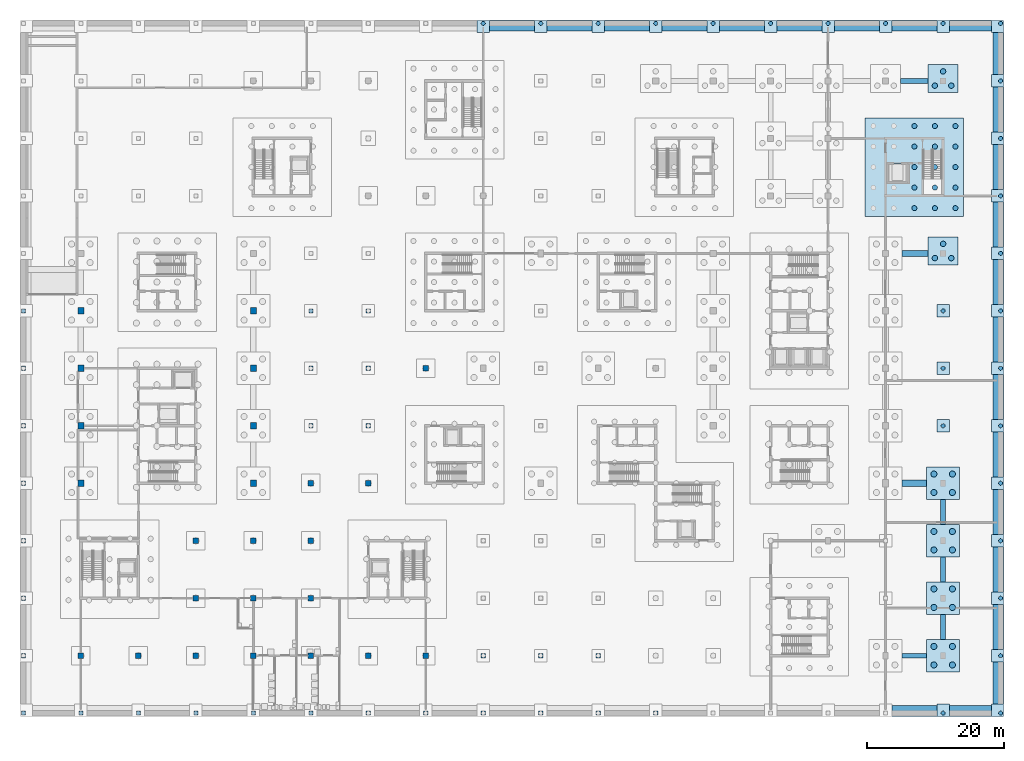
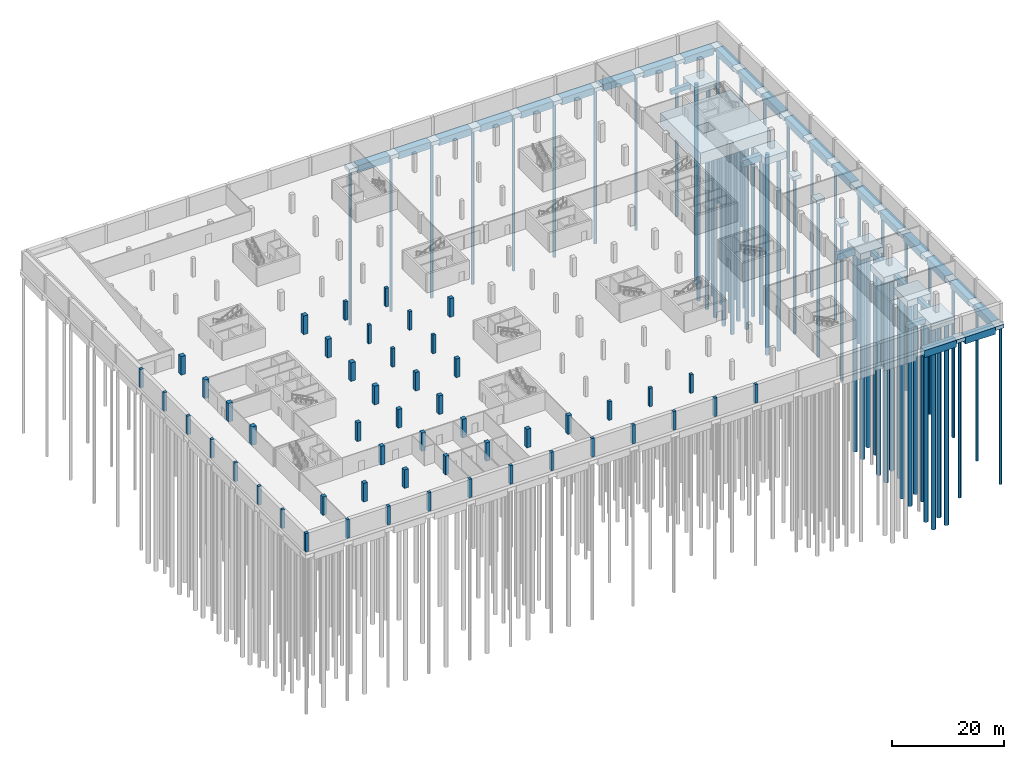
# One storey, part 5 of 23: 63 footings, 63 piles, 52 columns.
"""IFC4 building model written with IfcOpenShell, lengths in metres."""

from ifc_helpers import new_model, si_unit, direction, frame, origin, origin_2d, place, context, subcontext, project, spatial, polyline, rectangle, circle, outline, extrude, material, layer, layer_set, material_profile, profile_set, type_object, element, save


model = new_model("IFC4")

# Units and contexts
model_context = context("Model", 3, precision=1e-05, world=origin(), true_north=direction((0.0, 1.0)))
body_context = subcontext(model_context, "Body", "Model", "MODEL_VIEW")
ifc_project = project(units=[si_unit("LENGTHUNIT", "METRE"), si_unit("AREAUNIT", "SQUARE_METRE"), si_unit("VOLUMEUNIT", "CUBIC_METRE"), si_unit("PLANEANGLEUNIT", "RADIAN"), si_unit("MASSUNIT", "GRAM", prefix="KILO")], contexts=[model_context])

# Site, building, storey
site_placement = place(None, origin())
site = spatial("IfcSite", under=ifc_project, at=site_placement, CompositionType="ELEMENT")
building_placement = place(site_placement, origin())
building = spatial("IfcBuilding", under=site, at=building_placement, Name="Hlaing Beacon Police Headquarters", CompositionType="ELEMENT")
storey_placement = place(building_placement, frame((0.0, 0.0, -4.5)))
storey = spatial("IfcBuildingStorey", under=building, at=storey_placement, Name="B1", CompositionType="ELEMENT", Elevation=-4.5)

# Piles
ifc_material_1 = material(Name="Concrete C40/50", Category="concrete")
ifc_material_profile_1 = material_profile(ifc_material_1, circle(Radius=0.300048828125, at=origin_2d()), Name="D600")
ifc_profile_set_1 = profile_set([ifc_material_profile_1], Name="Concrete C40/50")
pile_type_1 = type_object("IfcPileType", Name="Bored pile D600 L34", PredefinedType="BORED", material=ifc_profile_set_1)
for number, where, z_axis, x_axis, name in (
    (1, (67.199951171875, 100.800048828125, -1.39990234375), (0.0, 0.0, -1.0), (1.0, 0.0, 0.0), "STR-PILE-J13"),
    (2, (75.60009765625, 100.800048828125, -1.39990234375), (0.0, 0.0, -1.0), (1.0, 0.0, 0.0), "STR-PILE-K13"),
    (3, (84.0, 100.800048828125, -1.39990234375), (0.0, 0.0, -1.0), (1.0, 0.0, 0.0), "STR-PILE-L13"),
    (4, (92.39990234375, 100.800048828125, -1.39990234375), (0.0, 0.0, -1.0), (1.0, 0.0, 0.0), "STR-PILE-M13"),
    (5, (100.800048828125, 100.800048828125, -1.39990234375), (0.0, 0.0, -1.0), (1.0, 0.0, 0.0), "STR-PILE-N13"),
    (6, (109.199951171875, 100.800048828125, -1.39990234375), (0.0, 0.0, -1.0), (1.0, 0.0, 0.0), "STR-PILE-P13"),
    (7, (117.60009765625, 100.800048828125, -1.39990234375), (0.0, 0.0, -1.0), (1.0, 0.0, 0.0), "STR-PILE-Q13"),
    (8, (126.0, 100.800048828125, -1.39990234375), (0.0, 0.0, -1.0), (1.0, 0.0, 0.0), "STR-PILE-R13"),
    (9, (134.39990234375, 0.0, -1.39990234375), (0.0, 0.0, -1.0), (1.0, 0.0, 0.0), "STR-PILE-S1"),
    (10, (134.39990234375, 42.0, -1.39990234375), (0.0, 0.0, -1.0), (1.0, 0.0, 0.0), "STR-PILE-S6"),
    (11, (134.39990234375, 50.39990234375, -1.39990234375), (0.0, 0.0, -1.0), (1.0, 0.0, 0.0), "STR-PILE-S7"),
    (12, (134.39990234375, 58.800048828125, -1.39990234375), (0.0, 0.0, -1.0), (1.0, 0.0, 0.0), "STR-PILE-S8"),
    (13, (134.39990234375, 100.800048828125, -1.39990234375), (0.0, 0.0, -1.0), (1.0, 0.0, 0.0), "STR-PILE-S13"),
    (14, (142.800048828125, 0.0, -1.39990234375), (0.0, 0.0, -1.0), (1.0, 0.0, 0.0), "STR-PILE-T1"),
    (15, (142.800048828125, 8.39990234375, -1.39990234375), (0.0, 0.0, -1.0), (1.0, 0.0, 0.0), "STR-PILE-T2"),
    (16, (142.800048828125, 16.800048828125, -1.39990234375), (0.0, 0.0, -1.0), (1.0, 0.0, 0.0), "STR-PILE-T3"),
    (17, (142.800048828125, 25.199951171875, -1.39990234375), (0.0, 0.0, -1.0), (1.0, 0.0, 0.0), "STR-PILE-T4"),
    (18, (142.800048828125, 33.60009765625, -1.39990234375), (0.0, 0.0, -1.0), (1.0, 0.0, 0.0), "STR-PILE-T5"),
    (19, (142.800048828125, 42.0, -1.39990234375), (0.0, 0.0, -1.0), (1.0, 0.0, 0.0), "STR-PILE-T6"),
    (20, (142.800048828125, 50.39990234375, -1.39990234375), (0.0, 0.0, -1.0), (1.0, 0.0, 0.0), "STR-PILE-T7"),
    (21, (142.800048828125, 58.800048828125, -1.39990234375), (0.0, 0.0, -1.0), (1.0, 0.0, 0.0), "STR-PILE-T8"),
    (22, (142.800048828125, 67.199951171875, -1.39990234375), (0.0, 0.0, -1.0), (1.0, 0.0, 0.0), "STR-PILE-T9"),
    (23, (142.800048828125, 75.60009765625, -1.39990234375), (0.0, 0.0, -1.0), (1.0, 0.0, 0.0), "STR-PILE-T10"),
    (24, (142.800048828125, 84.0, -1.39990234375), (0.0, 0.0, -1.0), (1.0, 0.0, 0.0), "STR-PILE-T11"),
    (25, (142.800048828125, 92.39990234375, -1.39990234375), (0.0, 0.0, -1.0), (1.0, 0.0, 0.0), "STR-PILE-T12"),
    (26, (142.800048828125, 100.800048828125, -1.39990234375), (0.0, 0.0, -1.0), (1.0, 0.0, 0.0), "STR-PILE-T13"),
):
    element("IfcPile", number, at=place(storey_placement, frame(where, z_axis=z_axis, x_axis=x_axis)), inside=storey, type_object=pile_type_1, Name=name, PredefinedType="BORED", context=body_context, shape_type="SweptSolid", body=[
        extrude(circle(Radius=0.300048828125, at=origin_2d()), origin(), (0.0, 0.0, 1.0), 34.0),
    ])
ifc_material_2 = material(Name="Concrete C40/50", Category="concrete")
ifc_material_profile_2 = material_profile(ifc_material_2, circle(Radius=0.375, at=origin_2d()), Name="D750")
ifc_profile_set_2 = profile_set([ifc_material_profile_2], Name="Concrete C40/50")
pile_type_2 = type_object("IfcPileType", Name="Bored pile D750 L40", PredefinedType="BORED", material=ifc_profile_set_2)
for number, where, z_axis, x_axis, name in (
    (27, (130.199951171875, 73.800048828125, -3.10009765625), (0.0, 0.0, -1.0), (1.0, 0.0, 0.0), "STR-PILE-RFC7b-0301"),
    (28, (130.199951171875, 76.800048828125, -3.10009765625), (0.0, 0.0, -1.0), (1.0, 0.0, 0.0), "STR-PILE-RFC7b-0302"),
    (29, (130.199951171875, 79.800048828125, -3.10009765625), (0.0, 0.0, -1.0), (1.0, 0.0, 0.0), "STR-PILE-RFC7b-0303"),
    (30, (130.199951171875, 82.800048828125, -3.10009765625), (0.0, 0.0, -1.0), (1.0, 0.0, 0.0), "STR-PILE-RFC7b-0304"),
    (31, (130.199951171875, 85.800048828125, -3.10009765625), (0.0, 0.0, -1.0), (1.0, 0.0, 0.0), "STR-PILE-RFC7b-0305"),
    (32, (133.199951171875, 73.800048828125, -3.10009765625), (0.0, 0.0, -1.0), (1.0, 0.0, 0.0), "STR-PILE-RFC7b-0401"),
    (33, (133.199951171875, 76.800048828125, -3.10009765625), (0.0, 0.0, -1.0), (1.0, 0.0, 0.0), "STR-PILE-RFC7b-0402"),
    (34, (133.199951171875, 79.800048828125, -3.10009765625), (0.0, 0.0, -1.0), (1.0, 0.0, 0.0), "STR-PILE-RFC7b-0403"),
    (35, (133.199951171875, 82.800048828125, -3.10009765625), (0.0, 0.0, -1.0), (1.0, 0.0, 0.0), "STR-PILE-RFC7b-0404"),
    (36, (133.199951171875, 85.800048828125, -3.10009765625), (0.0, 0.0, -1.0), (1.0, 0.0, 0.0), "STR-PILE-RFC7b-0405"),
    (37, (136.199951171875, 73.800048828125, -3.10009765625), (0.0, 0.0, -1.0), (1.0, 0.0, 0.0), "STR-PILE-RFC7b-0501"),
    (38, (136.199951171875, 76.800048828125, -3.10009765625), (0.0, 0.0, -1.0), (1.0, 0.0, 0.0), "STR-PILE-RFC7b-0502"),
    (39, (136.199951171875, 79.800048828125, -3.10009765625), (0.0, 0.0, -1.0), (1.0, 0.0, 0.0), "STR-PILE-RFC7b-0503"),
    (40, (136.199951171875, 82.800048828125, -3.10009765625), (0.0, 0.0, -1.0), (1.0, 0.0, 0.0), "STR-PILE-RFC7b-0504"),
    (41, (136.199951171875, 85.800048828125, -3.10009765625), (0.0, 0.0, -1.0), (1.0, 0.0, 0.0), "STR-PILE-RFC7b-0505"),
):
    element("IfcPile", number, at=place(storey_placement, frame(where, z_axis=z_axis, x_axis=x_axis)), inside=storey, type_object=pile_type_2, Name=name, PredefinedType="BORED", context=body_context, shape_type="SweptSolid", body=[
        extrude(circle(Radius=0.375, at=origin_2d()), origin(), (0.0, 0.0, 1.0), 40.0),
    ])
ifc_material_3 = material(Name="Concrete C40/50", Category="concrete")
ifc_material_profile_3 = material_profile(ifc_material_3, circle(Radius=0.39990234375, at=origin_2d()), Name="D800")
ifc_profile_set_3 = profile_set([ifc_material_profile_3], Name="Concrete C40/50")
pile_type_3 = type_object("IfcPileType", Name="Bored pile D800 L42", PredefinedType="BORED", material=ifc_profile_set_3)
for number, where, z_axis, x_axis, name in (
    (42, (133.199951171875, 66.507080078125, -2.199951171875), (0.0, 0.0, -1.0), (1.0, 0.0, 0.0), "STR-PILE-S9-1"),
    (43, (135.60009765625, 66.507080078125, -2.199951171875), (0.0, 0.0, -1.0), (1.0, 0.0, 0.0), "STR-PILE-S9-2"),
    (44, (134.39990234375, 68.5859375, -2.199951171875), (0.0, 0.0, -1.0), (1.0, 0.0, 0.0), "STR-PILE-S9-3"),
    (45, (133.199951171875, 91.70703125, -2.199951171875), (0.0, 0.0, -1.0), (1.0, 0.0, 0.0), "STR-PILE-S12-1"),
    (46, (135.60009765625, 91.70703125, -2.199951171875), (0.0, 0.0, -1.0), (1.0, 0.0, 0.0), "STR-PILE-S12-2"),
    (47, (134.39990234375, 93.785888671875, -2.199951171875), (0.0, 0.0, -1.0), (1.0, 0.0, 0.0), "STR-PILE-S12-3"),
):
    element("IfcPile", number, at=place(storey_placement, frame(where, z_axis=z_axis, x_axis=x_axis)), inside=storey, type_object=pile_type_3, Name=name, PredefinedType="BORED", context=body_context, shape_type="SweptSolid", body=[
        extrude(circle(Radius=0.39990234375, at=origin_2d()), origin(), (0.0, 0.0, 1.0), 42.0),
    ])
ifc_material_4 = material(Name="Concrete C40/50", Category="concrete")
ifc_material_profile_4 = material_profile(ifc_material_4, circle(Radius=0.449951171875, at=origin_2d()), Name="D900")
ifc_profile_set_4 = profile_set([ifc_material_profile_4], Name="Concrete C40/50")
pile_type_4 = type_object("IfcPileType", Name="Bored pile D900 L44", PredefinedType="BORED", material=ifc_profile_set_4)
for number, where, z_axis, x_axis, name in (
    (48, (133.050048828125, 7.050048828125, -2.0), (0.0, 0.0, -1.0), (1.0, 0.0, 0.0), "STR-PILE-S2-1"),
    (49, (135.75, 7.050048828125, -2.0), (0.0, 0.0, -1.0), (1.0, 0.0, 0.0), "STR-PILE-S2-2"),
    (50, (135.75, 9.75, -2.0), (0.0, 0.0, -1.0), (1.0, 0.0, 0.0), "STR-PILE-S2-3"),
    (51, (133.050048828125, 9.75, -2.0), (0.0, 0.0, -1.0), (1.0, 0.0, 0.0), "STR-PILE-S2-4"),
    (52, (133.050048828125, 15.449951171875, -2.0), (0.0, 0.0, -1.0), (1.0, 0.0, 0.0), "STR-PILE-S3-1"),
    (53, (135.75, 15.449951171875, -2.0), (0.0, 0.0, -1.0), (1.0, 0.0, 0.0), "STR-PILE-S3-2"),
    (54, (135.75, 18.14990234375, -2.0), (0.0, 0.0, -1.0), (1.0, 0.0, 0.0), "STR-PILE-S3-3"),
    (55, (133.050048828125, 18.14990234375, -2.0), (0.0, 0.0, -1.0), (1.0, 0.0, 0.0), "STR-PILE-S3-4"),
    (56, (133.050048828125, 23.85009765625, -2.0), (0.0, 0.0, -1.0), (1.0, 0.0, 0.0), "STR-PILE-S4-1"),
    (57, (135.75, 23.85009765625, -2.0), (0.0, 0.0, -1.0), (1.0, 0.0, 0.0), "STR-PILE-S4-2"),
    (58, (135.75, 26.550048828125, -2.0), (0.0, 0.0, -1.0), (1.0, 0.0, 0.0), "STR-PILE-S4-3"),
    (59, (133.050048828125, 26.550048828125, -2.0), (0.0, 0.0, -1.0), (1.0, 0.0, 0.0), "STR-PILE-S4-4"),
    (60, (133.050048828125, 32.25, -2.0), (0.0, 0.0, -1.0), (1.0, 0.0, 0.0), "STR-PILE-S5-1"),
    (61, (135.75, 32.25, -2.0), (0.0, 0.0, -1.0), (1.0, 0.0, 0.0), "STR-PILE-S5-2"),
    (62, (135.75, 34.949951171875, -2.0), (0.0, 0.0, -1.0), (1.0, 0.0, 0.0), "STR-PILE-S5-3"),
    (63, (133.050048828125, 34.949951171875, -2.0), (0.0, 0.0, -1.0), (1.0, 0.0, 0.0), "STR-PILE-S5-4"),
):
    element("IfcPile", number, at=place(storey_placement, frame(where, z_axis=z_axis, x_axis=x_axis)), inside=storey, type_object=pile_type_4, Name=name, PredefinedType="BORED", context=body_context, shape_type="SweptSolid", body=[
        extrude(circle(Radius=0.449951171875, at=origin_2d()), origin(), (0.0, 0.0, 1.0), 44.0),
    ])

# Footings
ifc_material_5 = material(Name="Concrete C40/50", Category="concrete")
ifc_layer_1 = layer(ifc_material_5, 0.800048828125)
ifc_layer_set_1 = layer_set([ifc_layer_1], Name="Concrete C40/50")
footing_type_1 = type_object("IfcFootingType", Name="Pad footing 1800 x 1800 x 800", PredefinedType="PAD_FOOTING", material=ifc_layer_set_1)
for number, where, z_axis, x_axis, name in (
    (64, (67.199951171875, 100.35009765625, -1.39990234375), (0.0, 0.0, 1.0), (1.0, 0.0, 0.0), "STR-PAD-J13"),
    (65, (75.60009765625, 100.35009765625, -1.39990234375), (0.0, 0.0, 1.0), (1.0, 0.0, 0.0), "STR-PAD-K13"),
    (66, (84.0, 100.35009765625, -1.39990234375), (0.0, 0.0, 1.0), (1.0, 0.0, 0.0), "STR-PAD-L13"),
    (67, (92.39990234375, 100.35009765625, -1.39990234375), (0.0, 0.0, 1.0), (1.0, 0.0, 0.0), "STR-PAD-M13"),
    (68, (100.800048828125, 100.35009765625, -1.39990234375), (0.0, 0.0, 1.0), (1.0, 0.0, 0.0), "STR-PAD-N13"),
    (69, (109.199951171875, 100.35009765625, -1.39990234375), (0.0, 0.0, 1.0), (1.0, 0.0, 0.0), "STR-PAD-P13"),
    (70, (117.60009765625, 100.35009765625, -1.39990234375), (0.0, 0.0, 1.0), (1.0, 0.0, 0.0), "STR-PAD-Q13"),
    (71, (126.0, 100.35009765625, -1.39990234375), (0.0, 0.0, 1.0), (1.0, 0.0, 0.0), "STR-PAD-R13"),
    (72, (134.39990234375, 0.449951171875, -1.39990234375), (0.0, 0.0, 1.0), (1.0, 0.0, 0.0), "STR-PAD-S1"),
    (73, (134.39990234375, 42.0, -1.39990234375), (0.0, 0.0, 1.0), (1.0, 0.0, 0.0), "STR-PAD-S6"),
    (74, (134.39990234375, 50.39990234375, -1.39990234375), (0.0, 0.0, 1.0), (1.0, 0.0, 0.0), "STR-PAD-S7"),
    (75, (134.39990234375, 58.800048828125, -1.39990234375), (0.0, 0.0, 1.0), (1.0, 0.0, 0.0), "STR-PAD-S8"),
    (76, (134.39990234375, 100.35009765625, -1.39990234375), (0.0, 0.0, 1.0), (1.0, 0.0, 0.0), "STR-PAD-S13"),
    (77, (142.35009765625, 0.449951171875, -1.39990234375), (0.0, 0.0, 1.0), (1.0, 0.0, 0.0), "STR-PAD-T1"),
    (78, (142.35009765625, 8.39990234375, -1.39990234375), (0.0, 0.0, 1.0), (1.0, 0.0, 0.0), "STR-PAD-T2"),
    (79, (142.35009765625, 16.800048828125, -1.39990234375), (0.0, 0.0, 1.0), (1.0, 0.0, 0.0), "STR-PAD-T3"),
    (80, (142.35009765625, 25.199951171875, -1.39990234375), (0.0, 0.0, 1.0), (1.0, 0.0, 0.0), "STR-PAD-T4"),
    (81, (142.35009765625, 33.60009765625, -1.39990234375), (0.0, 0.0, 1.0), (1.0, 0.0, 0.0), "STR-PAD-T5"),
    (82, (142.35009765625, 42.0, -1.39990234375), (0.0, 0.0, 1.0), (1.0, 0.0, 0.0), "STR-PAD-T6"),
    (83, (142.35009765625, 50.39990234375, -1.39990234375), (0.0, 0.0, 1.0), (1.0, 0.0, 0.0), "STR-PAD-T7"),
    (84, (142.35009765625, 58.800048828125, -1.39990234375), (0.0, 0.0, 1.0), (1.0, 0.0, 0.0), "STR-PAD-T8"),
    (85, (142.35009765625, 67.199951171875, -1.39990234375), (0.0, 0.0, 1.0), (1.0, 0.0, 0.0), "STR-PAD-T9"),
    (86, (142.35009765625, 75.60009765625, -1.39990234375), (0.0, 0.0, 1.0), (1.0, 0.0, 0.0), "STR-PAD-T10"),
    (87, (142.35009765625, 84.0, -1.39990234375), (0.0, 0.0, 1.0), (1.0, 0.0, 0.0), "STR-PAD-T11"),
    (88, (142.35009765625, 92.39990234375, -1.39990234375), (0.0, 0.0, 1.0), (1.0, 0.0, 0.0), "STR-PAD-T12"),
    (89, (142.35009765625, 100.35009765625, -1.39990234375), (0.0, 0.0, 1.0), (1.0, 0.0, 0.0), "STR-PAD-T13"),
):
    element("IfcFooting", number, at=place(storey_placement, frame(where, z_axis=z_axis, x_axis=x_axis)), inside=storey, type_object=footing_type_1, Name=name, PredefinedType="PAD_FOOTING", context=body_context, shape_type="SweptSolid", body=[
        extrude(rectangle(XDim=1.800048828125, YDim=1.800048828125, at=origin_2d()), origin(), (0.0, 0.0, 1.0), 0.800048828125),
    ])
ifc_material_6 = material(Name="Concrete C40/50", Category="concrete")
ifc_layer_2 = layer(ifc_material_6, 1.60009765625)
ifc_layer_set_2 = layer_set([ifc_layer_2], Name="Concrete C40/50")
footing_type_2 = type_object("IfcFootingType", Name="Pile cap 4400 x 4078 x 1600", PredefinedType="PILE_CAP", material=ifc_layer_set_2)
for number, where, z_axis, x_axis, name in (
    (90, (134.39990234375, 67.547119140625, -2.199951171875), (0.0, 0.0, 1.0), (1.0, 0.0, 0.0), "STR-CAP-S9"),
    (91, (134.39990234375, 92.74609375, -2.199951171875), (0.0, 0.0, 1.0), (1.0, 0.0, 0.0), "STR-CAP-S12"),
):
    element("IfcFooting", number, at=place(storey_placement, frame(where, z_axis=z_axis, x_axis=x_axis)), inside=storey, type_object=footing_type_2, Name=name, PredefinedType="PILE_CAP", context=body_context, shape_type="SweptSolid", body=[
        extrude(rectangle(XDim=4.39990234375, YDim=4.077880859375, at=origin_2d()), origin(), (0.0, 0.0, 1.0), 1.60009765625),
    ])
ifc_material_7 = material(Name="Concrete C40/50", Category="concrete")
ifc_layer_3 = layer(ifc_material_7, 1.39990234375)
ifc_layer_set_3 = layer_set([ifc_layer_3], Name="Concrete C40/50")
footing_type_3 = type_object("IfcFootingType", Name="Pile cap 4800 x 4800 x 1400", PredefinedType="PILE_CAP", material=ifc_layer_set_3)
for number, where, z_axis, x_axis, name in (
    (92, (134.39990234375, 8.39990234375, -2.0), (0.0, 0.0, 1.0), (1.0, 0.0, 0.0), "STR-CAP-S2"),
    (93, (134.39990234375, 16.800048828125, -2.0), (0.0, 0.0, 1.0), (1.0, 0.0, 0.0), "STR-CAP-S3"),
    (94, (134.39990234375, 25.199951171875, -2.0), (0.0, 0.0, 1.0), (1.0, 0.0, 0.0), "STR-CAP-S4"),
    (95, (134.39990234375, 33.60009765625, -2.0), (0.0, 0.0, 1.0), (1.0, 0.0, 0.0), "STR-CAP-S5"),
):
    element("IfcFooting", number, at=place(storey_placement, frame(where, z_axis=z_axis, x_axis=x_axis)), inside=storey, type_object=footing_type_3, Name=name, PredefinedType="PILE_CAP", context=body_context, shape_type="SweptSolid", body=[
        extrude(rectangle(XDim=4.800048828125, YDim=4.800048828125, at=origin_2d()), origin(), (0.0, 0.0, 1.0), 1.39990234375),
    ])
ifc_material_8 = material(Name="Concrete C40/50", Category="concrete")
ifc_layer_4 = layer(ifc_material_8, 2.5)
ifc_layer_set_4 = layer_set([ifc_layer_4], Name="Concrete C40/50")
footing_type_4 = type_object("IfcFootingType", Name="Piled raft 2500 14400 x 14400", PredefinedType="PILE_CAP", material=ifc_layer_set_4)
footing_1_placement = place(storey_placement, frame((0.0, 0.0, -3.10009765625)))
element("IfcFooting", 96, at=footing_1_placement, inside=storey, type_object=footing_type_4, Name="STR-RAFT-C7b", PredefinedType="PILE_CAP", context=body_context, shape_type="SweptSolid", body=[
    extrude(outline(polyline([(123.0, 72.60009765625), (123.0, 87.0), (137.39990234375, 87.0), (137.39990234375, 72.60009765625), (123.0, 72.60009765625)]), holes=[polyline([(129.0, 77.64990234375), (129.0, 80.25), (126.449951171875, 80.25), (126.449951171875, 77.64990234375), (129.0, 77.64990234375)])]), origin(), (0.0, 0.0, 1.0), 2.5),
])
ifc_material_9 = material(Name="Concrete C40/50", Category="concrete")
ifc_layer_5 = layer(ifc_material_9, 1.5)
ifc_layer_set_5 = layer_set([ifc_layer_5], Name="Concrete C40/50")
footing_type_5 = type_object("IfcFootingType", Name="Strip footing 1600 x 1500", PredefinedType="STRIP_FOOTING", material=ifc_layer_set_5)
for number, where, z_axis, x_axis, name in (
    (97, (71.39990234375, 100.5, -2.10009765625), (0.0, 0.0, 1.0), (1.0, 0.0, 0.0), "STR-STRIP-J13-K13"),
    (98, (79.800048828125, 100.5, -2.10009765625), (0.0, 0.0, 1.0), (1.0, 0.0, 0.0), "STR-STRIP-K13-L13"),
    (99, (88.199951171875, 100.5, -2.10009765625), (0.0, 0.0, 1.0), (1.0, 0.0, 0.0), "STR-STRIP-L13-M13"),
    (100, (96.60009765625, 100.5, -2.10009765625), (0.0, 0.0, 1.0), (1.0, 0.0, 0.0), "STR-STRIP-M13-N13"),
    (101, (105.0, 100.5, -2.10009765625), (0.0, 0.0, 1.0), (1.0, 0.0, 0.0), "STR-STRIP-N13-P13"),
    (102, (113.39990234375, 100.5, -2.10009765625), (0.0, 0.0, 1.0), (1.0, 0.0, 0.0), "STR-STRIP-P13-Q13"),
    (103, (121.800048828125, 100.5, -2.10009765625), (0.0, 0.0, 1.0), (1.0, 0.0, 0.0), "STR-STRIP-Q13-R13"),
    (104, (130.199951171875, 0.300048828125, -2.10009765625), (0.0, 0.0, 1.0), (1.0, 0.0, 0.0), "STR-STRIP-R1-S1"),
    (105, (130.199951171875, 100.5, -2.10009765625), (0.0, 0.0, 1.0), (1.0, 0.0, 0.0), "STR-STRIP-R13-S13"),
):
    element("IfcFooting", number, at=place(storey_placement, frame(where, z_axis=z_axis, x_axis=x_axis)), inside=storey, type_object=footing_type_5, Name=name, PredefinedType="STRIP_FOOTING", context=body_context, shape_type="SweptSolid", body=[
        extrude(rectangle(XDim=6.60009765625, YDim=1.60009765625, at=origin_2d()), origin(), (0.0, 0.0, 1.0), 1.5),
    ])
for number, where, z_axis, x_axis, name in (
    (106, (138.375, 0.300048828125, -2.10009765625), (0.0, 0.0, 1.0), (1.0, 0.0, 0.0), "STR-STRIP-S1-T1"),
    (107, (138.375, 100.5, -2.10009765625), (0.0, 0.0, 1.0), (1.0, 0.0, 0.0), "STR-STRIP-S13-T13"),
):
    element("IfcFooting", number, at=place(storey_placement, frame(where, z_axis=z_axis, x_axis=x_axis)), inside=storey, type_object=footing_type_5, Name=name, PredefinedType="STRIP_FOOTING", context=body_context, shape_type="SweptSolid", body=[
        extrude(rectangle(XDim=6.14990234375, YDim=1.60009765625, at=origin_2d()), origin(), (0.0, 0.0, 1.0), 1.5),
    ])
footing_2_placement = place(storey_placement, frame((142.5, 4.425048828125, -2.10009765625), z_axis=(0.0, 0.0, 1.0), x_axis=(1.0, 0.0, 0.0)))
element("IfcFooting", 108, at=footing_2_placement, inside=storey, type_object=footing_type_5, Name="STR-STRIP-T1-T2", PredefinedType="STRIP_FOOTING", context=body_context, shape_type="SweptSolid", body=[
    extrude(rectangle(XDim=1.60009765625, YDim=6.14990234375, at=origin_2d()), origin(), (0.0, 0.0, 1.0), 1.5),
])
for number, where, z_axis, x_axis, name in (
    (109, (142.5, 12.60009765625, -2.10009765625), (0.0, 0.0, 1.0), (1.0, 0.0, 0.0), "STR-STRIP-T2-T3"),
    (110, (142.5, 21.0, -2.10009765625), (0.0, 0.0, 1.0), (1.0, 0.0, 0.0), "STR-STRIP-T3-T4"),
    (111, (142.5, 29.39990234375, -2.10009765625), (0.0, 0.0, 1.0), (1.0, 0.0, 0.0), "STR-STRIP-T4-T5"),
    (112, (142.5, 37.800048828125, -2.10009765625), (0.0, 0.0, 1.0), (1.0, 0.0, 0.0), "STR-STRIP-T5-T6"),
    (113, (142.5, 46.199951171875, -2.10009765625), (0.0, 0.0, 1.0), (1.0, 0.0, 0.0), "STR-STRIP-T6-T7"),
    (114, (142.5, 54.60009765625, -2.10009765625), (0.0, 0.0, 1.0), (1.0, 0.0, 0.0), "STR-STRIP-T7-T8"),
    (115, (142.5, 63.0, -2.10009765625), (0.0, 0.0, 1.0), (1.0, 0.0, 0.0), "STR-STRIP-T8-T9"),
    (116, (142.5, 71.39990234375, -2.10009765625), (0.0, 0.0, 1.0), (1.0, 0.0, 0.0), "STR-STRIP-T9-T10"),
    (117, (142.5, 79.800048828125, -2.10009765625), (0.0, 0.0, 1.0), (1.0, 0.0, 0.0), "STR-STRIP-T10-T11"),
    (118, (142.5, 88.199951171875, -2.10009765625), (0.0, 0.0, 1.0), (1.0, 0.0, 0.0), "STR-STRIP-T11-T12"),
):
    element("IfcFooting", number, at=place(storey_placement, frame(where, z_axis=z_axis, x_axis=x_axis)), inside=storey, type_object=footing_type_5, Name=name, PredefinedType="STRIP_FOOTING", context=body_context, shape_type="SweptSolid", body=[
        extrude(rectangle(XDim=1.60009765625, YDim=6.60009765625, at=origin_2d()), origin(), (0.0, 0.0, 1.0), 1.5),
    ])
footing_3_placement = place(storey_placement, frame((142.5, 96.375, -2.10009765625), z_axis=(0.0, 0.0, 1.0), x_axis=(1.0, 0.0, 0.0)))
element("IfcFooting", 119, at=footing_3_placement, inside=storey, type_object=footing_type_5, Name="STR-STRIP-T12-T13", PredefinedType="STRIP_FOOTING", context=body_context, shape_type="SweptSolid", body=[
    extrude(rectangle(XDim=1.60009765625, YDim=6.14990234375, at=origin_2d()), origin(), (0.0, 0.0, 1.0), 1.5),
])
ifc_material_10 = material(Name="Concrete C40/50", Category="concrete")
ifc_layer_6 = layer(ifc_material_10, 1.0)
ifc_layer_set_6 = layer_set([ifc_layer_6], Name="Concrete C40/50")
footing_type_6 = type_object("IfcFootingType", Name="Tie beam 700 x 1000", PredefinedType="FOOTING_BEAM", material=ifc_layer_set_6)
footing_4_placement = place(storey_placement, frame((130.199951171875, 8.39990234375, -1.60009765625), z_axis=(0.0, 0.0, 1.0), x_axis=(1.0, 0.0, 0.0)))
element("IfcFooting", 120, at=footing_4_placement, inside=storey, type_object=footing_type_6, Name="STR-TIE-R2-S2", PredefinedType="FOOTING_BEAM", context=body_context, shape_type="SweptSolid", body=[
    extrude(rectangle(XDim=3.60009765625, YDim=0.699951171875, at=origin_2d()), origin(), (0.0, 0.0, 1.0), 1.0),
])
footing_5_placement = place(storey_placement, frame((130.199951171875, 92.39990234375, -1.60009765625), z_axis=(0.0, 0.0, 1.0), x_axis=(1.0, 0.0, 0.0)))
element("IfcFooting", 121, at=footing_5_placement, inside=storey, type_object=footing_type_6, Name="STR-TIE-R12-S12", PredefinedType="FOOTING_BEAM", context=body_context, shape_type="SweptSolid", body=[
    extrude(rectangle(XDim=4.0, YDim=0.699951171875, at=origin_2d()), origin(), (0.0, 0.0, 1.0), 1.0),
])
for number, where, z_axis, x_axis, name in (
    (122, (134.39990234375, 12.60009765625, -1.60009765625), (0.0, 0.0, 1.0), (1.0, 0.0, 0.0), "STR-TIE-S2-S3"),
    (123, (134.39990234375, 21.0, -1.60009765625), (0.0, 0.0, 1.0), (1.0, 0.0, 0.0), "STR-TIE-S3-S4"),
    (124, (134.39990234375, 29.39990234375, -1.60009765625), (0.0, 0.0, 1.0), (1.0, 0.0, 0.0), "STR-TIE-S4-S5"),
):
    element("IfcFooting", number, at=place(storey_placement, frame(where, z_axis=z_axis, x_axis=x_axis)), inside=storey, type_object=footing_type_6, Name=name, PredefinedType="FOOTING_BEAM", context=body_context, shape_type="SweptSolid", body=[
        extrude(rectangle(XDim=0.699951171875, YDim=3.60009765625, at=origin_2d()), origin(), (0.0, 0.0, 1.0), 1.0),
    ])
ifc_material_11 = material(Name="Concrete C40/50", Category="concrete")
ifc_layer_7 = layer(ifc_material_11, 1.39990234375)
ifc_layer_set_7 = layer_set([ifc_layer_7], Name="Concrete C40/50")
footing_type_7 = type_object("IfcFootingType", Name="Tie beam 900 x 1400", PredefinedType="FOOTING_BEAM", material=ifc_layer_set_7)
footing_6_placement = place(storey_placement, frame((130.199951171875, 33.60009765625, -2.0), z_axis=(0.0, 0.0, 1.0), x_axis=(1.0, 0.0, 0.0)))
element("IfcFooting", 125, at=footing_6_placement, inside=storey, type_object=footing_type_7, Name="STR-TIE-R5-S5", PredefinedType="FOOTING_BEAM", context=body_context, shape_type="SweptSolid", body=[
    extrude(rectangle(XDim=3.60009765625, YDim=0.89990234375, at=origin_2d()), origin(), (0.0, 0.0, 1.0), 1.39990234375),
])
footing_7_placement = place(storey_placement, frame((130.300048828125, 67.199951171875, -2.0), z_axis=(0.0, 0.0, 1.0), x_axis=(1.0, 0.0, 0.0)))
element("IfcFooting", 126, at=footing_7_placement, inside=storey, type_object=footing_type_7, Name="STR-TIE-R9-S9", PredefinedType="FOOTING_BEAM", context=body_context, shape_type="SweptSolid", body=[
    extrude(rectangle(XDim=3.800048828125, YDim=0.89990234375, at=origin_2d()), origin(), (0.0, 0.0, 1.0), 1.39990234375),
])

# Columns
ifc_material_12 = material(Name="Concrete C50/60", Category="concrete")
ifc_material_profile_5 = material_profile(ifc_material_12, rectangle(XDim=0.60009765625, YDim=0.60009765625, at=origin_2d()), Name="600x600")
ifc_profile_set_5 = profile_set([ifc_material_profile_5], Name="Concrete C50/60")
column_type_1 = type_object("IfcColumnType", Name="RC column 600x600 C50/60", PredefinedType="COLUMN", material=ifc_profile_set_5)
for number, where, z_axis, x_axis, name in (
    (127, (0.0, 0.0, 0.0), (0.0, 0.0, 1.0), (1.0, 0.0, 0.0), "STR-COL-B1-A1"),
    (128, (0.0, 8.39990234375, 0.0), (0.0, 0.0, 1.0), (1.0, 0.0, 0.0), "STR-COL-B1-A2"),
    (129, (0.0, 16.800048828125, 0.0), (0.0, 0.0, 1.0), (1.0, 0.0, 0.0), "STR-COL-B1-A3"),
    (130, (0.0, 25.199951171875, 0.0), (0.0, 0.0, 1.0), (1.0, 0.0, 0.0), "STR-COL-B1-A4"),
    (131, (0.0, 33.60009765625, 0.0), (0.0, 0.0, 1.0), (1.0, 0.0, 0.0), "STR-COL-B1-A5"),
    (132, (0.0, 42.0, 0.0), (0.0, 0.0, 1.0), (1.0, 0.0, 0.0), "STR-COL-B1-A6"),
    (133, (0.0, 50.39990234375, 0.0), (0.0, 0.0, 1.0), (1.0, 0.0, 0.0), "STR-COL-B1-A7"),
    (134, (0.0, 58.800048828125, 0.0), (0.0, 0.0, 1.0), (1.0, 0.0, 0.0), "STR-COL-B1-A8"),
    (135, (8.39990234375, 0.0, 0.0), (0.0, 0.0, 1.0), (1.0, 0.0, 0.0), "STR-COL-B1-B1"),
    (136, (16.800048828125, 0.0, 0.0), (0.0, 0.0, 1.0), (1.0, 0.0, 0.0), "STR-COL-B1-C1"),
    (137, (25.199951171875, 0.0, 0.0), (0.0, 0.0, 1.0), (1.0, 0.0, 0.0), "STR-COL-B1-D1"),
    (138, (33.60009765625, 0.0, 0.0), (0.0, 0.0, 1.0), (1.0, 0.0, 0.0), "STR-COL-B1-E1"),
    (139, (42.0, 0.0, 0.0), (0.0, 0.0, 1.0), (1.0, 0.0, 0.0), "STR-COL-B1-F1"),
    (140, (42.0, 42.0, 0.0), (0.0, 0.0, 1.0), (1.0, 0.0, 0.0), "STR-COL-B1-F6"),
    (141, (42.0, 50.39990234375, 0.0), (0.0, 0.0, 1.0), (1.0, 0.0, 0.0), "STR-COL-B1-F7"),
    (142, (42.0, 58.800048828125, 0.0), (0.0, 0.0, 1.0), (1.0, 0.0, 0.0), "STR-COL-B1-F8"),
    (143, (50.39990234375, 0.0, 0.0), (0.0, 0.0, 1.0), (1.0, 0.0, 0.0), "STR-COL-B1-G1"),
    (144, (50.39990234375, 42.0, 0.0), (0.0, 0.0, 1.0), (1.0, 0.0, 0.0), "STR-COL-B1-G6"),
    (145, (50.39990234375, 50.39990234375, 0.0), (0.0, 0.0, 1.0), (1.0, 0.0, 0.0), "STR-COL-B1-G7"),
    (146, (50.39990234375, 58.800048828125, 0.0), (0.0, 0.0, 1.0), (1.0, 0.0, 0.0), "STR-COL-B1-G8"),
    (147, (58.800048828125, 0.0, 0.0), (0.0, 0.0, 1.0), (1.0, 0.0, 0.0), "STR-COL-B1-H1"),
    (148, (67.199951171875, 0.0, 0.0), (0.0, 0.0, 1.0), (1.0, 0.0, 0.0), "STR-COL-B1-J1"),
    (149, (67.199951171875, 8.39990234375, 0.0), (0.0, 0.0, 1.0), (1.0, 0.0, 0.0), "STR-COL-B1-J2"),
    (150, (75.60009765625, 0.0, 0.0), (0.0, 0.0, 1.0), (1.0, 0.0, 0.0), "STR-COL-B1-K1"),
    (151, (75.60009765625, 8.39990234375, 0.0), (0.0, 0.0, 1.0), (1.0, 0.0, 0.0), "STR-COL-B1-K2"),
    (152, (84.0, 0.0, 0.0), (0.0, 0.0, 1.0), (1.0, 0.0, 0.0), "STR-COL-B1-L1"),
    (153, (84.0, 8.39990234375, 0.0), (0.0, 0.0, 1.0), (1.0, 0.0, 0.0), "STR-COL-B1-L2"),
    (154, (92.39990234375, 0.0, 0.0), (0.0, 0.0, 1.0), (1.0, 0.0, 0.0), "STR-COL-B1-M1"),
):
    element("IfcColumn", number, at=place(storey_placement, frame(where, z_axis=z_axis, x_axis=x_axis)), inside=storey, type_object=column_type_1, Name=name, PredefinedType="COLUMN", context=body_context, shape_type="SweptSolid", body=[
        extrude(rectangle(XDim=0.60009765625, YDim=0.60009765625, at=origin_2d()), origin(), (0.0, 0.0, 1.0), 4.050048828125),
    ])
ifc_material_13 = material(Name="Concrete C50/60", Category="concrete")
ifc_material_profile_6 = material_profile(ifc_material_13, rectangle(XDim=0.800048828125, YDim=0.800048828125, at=origin_2d()), Name="800x800")
ifc_profile_set_6 = profile_set([ifc_material_profile_6], Name="Concrete C50/60")
column_type_2 = type_object("IfcColumnType", Name="RC column 800x800 C50/60", PredefinedType="COLUMN", material=ifc_profile_set_6)
for number, where, z_axis, x_axis, name in (
    (155, (8.39990234375, 8.39990234375, 0.0), (0.0, 0.0, 1.0), (1.0, 0.0, 0.0), "STR-COL-B1-B2"),
    (156, (16.800048828125, 8.39990234375, 0.0), (0.0, 0.0, 1.0), (1.0, 0.0, 0.0), "STR-COL-B1-C2"),
    (157, (25.199951171875, 8.39990234375, 0.0), (0.0, 0.0, 1.0), (1.0, 0.0, 0.0), "STR-COL-B1-D2"),
    (158, (25.199951171875, 16.800048828125, 0.0), (0.0, 0.0, 1.0), (1.0, 0.0, 0.0), "STR-COL-B1-D3"),
    (159, (25.199951171875, 25.199951171875, 0.0), (0.0, 0.0, 1.0), (1.0, 0.0, 0.0), "STR-COL-B1-D4"),
    (160, (33.60009765625, 8.39990234375, 0.0), (0.0, 0.0, 1.0), (1.0, 0.0, 0.0), "STR-COL-B1-E2"),
    (161, (33.60009765625, 16.800048828125, 0.0), (0.0, 0.0, 1.0), (1.0, 0.0, 0.0), "STR-COL-B1-E3"),
    (162, (33.60009765625, 25.199951171875, 0.0), (0.0, 0.0, 1.0), (1.0, 0.0, 0.0), "STR-COL-B1-E4"),
    (163, (42.0, 8.39990234375, 0.0), (0.0, 0.0, 1.0), (1.0, 0.0, 0.0), "STR-COL-B1-F2"),
    (164, (42.0, 16.800048828125, 0.0), (0.0, 0.0, 1.0), (1.0, 0.0, 0.0), "STR-COL-B1-F3"),
    (165, (42.0, 25.199951171875, 0.0), (0.0, 0.0, 1.0), (1.0, 0.0, 0.0), "STR-COL-B1-F4"),
    (166, (42.0, 33.60009765625, 0.0), (0.0, 0.0, 1.0), (1.0, 0.0, 0.0), "STR-COL-B1-F5"),
    (167, (50.39990234375, 8.39990234375, 0.0), (0.0, 0.0, 1.0), (1.0, 0.0, 0.0), "STR-COL-B1-G2"),
    (168, (50.39990234375, 33.60009765625, 0.0), (0.0, 0.0, 1.0), (1.0, 0.0, 0.0), "STR-COL-B1-G5"),
    (169, (58.800048828125, 8.39990234375, 0.0), (0.0, 0.0, 1.0), (1.0, 0.0, 0.0), "STR-COL-B1-H2"),
    (170, (58.800048828125, 50.39990234375, 0.0), (0.0, 0.0, 1.0), (1.0, 0.0, 0.0), "STR-COL-B1-H7"),
):
    element("IfcColumn", number, at=place(storey_placement, frame(where, z_axis=z_axis, x_axis=x_axis)), inside=storey, type_object=column_type_2, Name=name, PredefinedType="COLUMN", context=body_context, shape_type="SweptSolid", body=[
        extrude(rectangle(XDim=0.800048828125, YDim=0.800048828125, at=origin_2d()), origin(), (0.0, 0.0, 1.0), 4.050048828125),
    ])
ifc_material_14 = material(Name="Concrete C50/60", Category="concrete")
ifc_material_profile_7 = material_profile(ifc_material_14, rectangle(XDim=0.89990234375, YDim=0.89990234375, at=origin_2d()), Name="900x900")
ifc_profile_set_7 = profile_set([ifc_material_profile_7], Name="Concrete C50/60")
column_type_3 = type_object("IfcColumnType", Name="RC column 900x900 C50/60", PredefinedType="COLUMN", material=ifc_profile_set_7)
for number, where, z_axis, x_axis, name in (
    (171, (8.39990234375, 33.60009765625, 0.0), (0.0, 0.0, 1.0), (1.0, 0.0, 0.0), "STR-COL-B1-B5"),
    (172, (8.39990234375, 42.0, 0.0), (0.0, 0.0, 1.0), (1.0, 0.0, 0.0), "STR-COL-B1-B6"),
    (173, (8.39990234375, 50.39990234375, 0.0), (0.0, 0.0, 1.0), (1.0, 0.0, 0.0), "STR-COL-B1-B7"),
    (174, (8.39990234375, 58.800048828125, 0.0), (0.0, 0.0, 1.0), (1.0, 0.0, 0.0), "STR-COL-B1-B8"),
    (175, (33.60009765625, 33.60009765625, 0.0), (0.0, 0.0, 1.0), (1.0, 0.0, 0.0), "STR-COL-B1-E5"),
    (176, (33.60009765625, 42.0, 0.0), (0.0, 0.0, 1.0), (1.0, 0.0, 0.0), "STR-COL-B1-E6"),
    (177, (33.60009765625, 50.39990234375, 0.0), (0.0, 0.0, 1.0), (1.0, 0.0, 0.0), "STR-COL-B1-E7"),
    (178, (33.60009765625, 58.800048828125, 0.0), (0.0, 0.0, 1.0), (1.0, 0.0, 0.0), "STR-COL-B1-E8"),
):
    element("IfcColumn", number, at=place(storey_placement, frame(where, z_axis=z_axis, x_axis=x_axis)), inside=storey, type_object=column_type_3, Name=name, PredefinedType="COLUMN", context=body_context, shape_type="SweptSolid", body=[
        extrude(rectangle(XDim=0.89990234375, YDim=0.89990234375, at=origin_2d()), origin(), (0.0, 0.0, 1.0), 4.050048828125),
    ])

save(model, "model.ifc")
